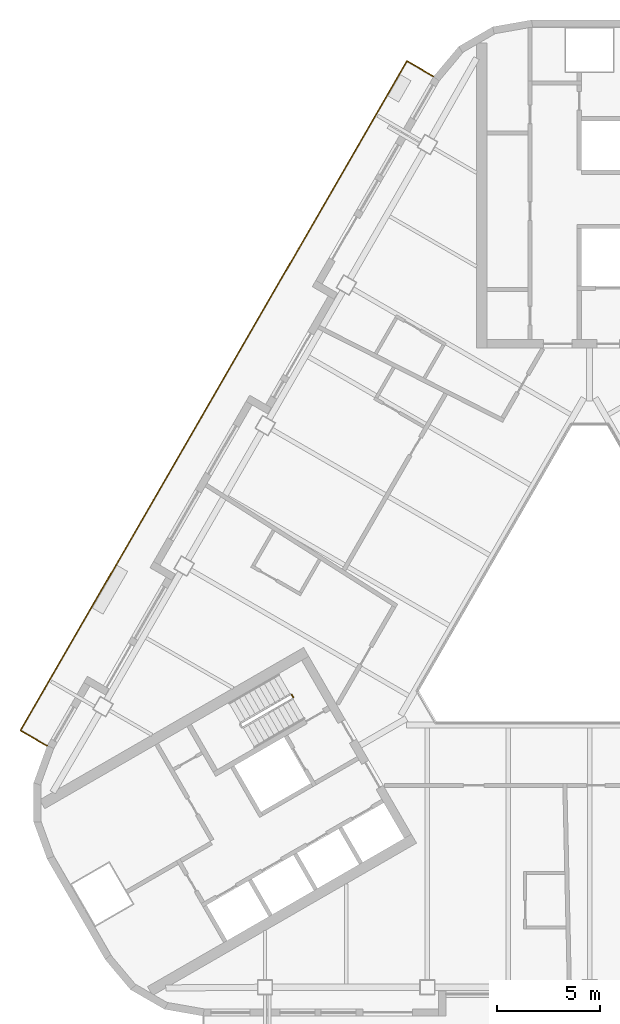
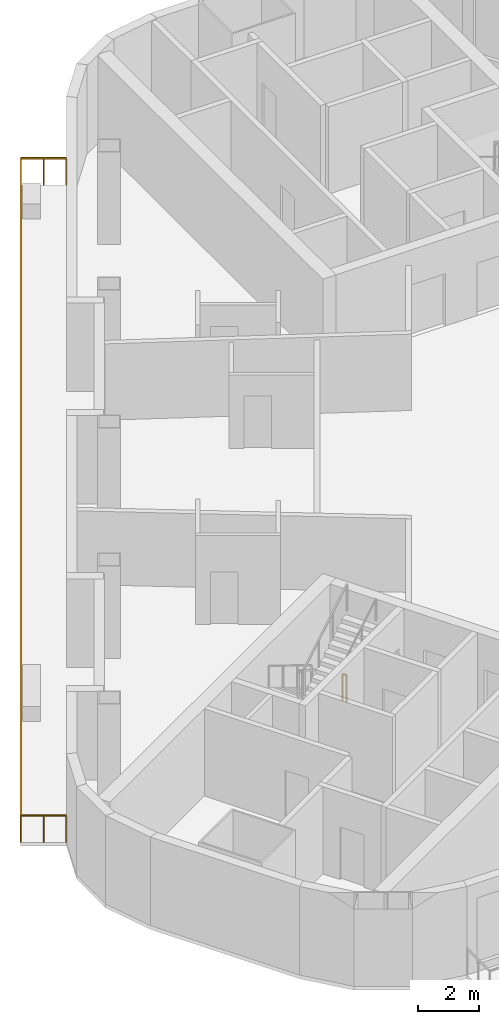
# One storey, part 10 of 13: 2 railings.
"""IFC4 building model written with IfcOpenShell, lengths in metres."""

import ifcopenshell
import ifcopenshell.guid

model = None  # the IFC model being written
_history = None  # IfcOwnerHistory: only IFC2X3 demands one
_inside = {}  # id of a spatial element -> (the spatial element, [elements in it])
_under = {}  # id of a project, library or spatial element -> (it, [spatial elements below it])
_declared = {}  # id of a project -> (the project, [libraries it declares])
_typed = {}  # id of a type object -> (the type object, [elements of that type])
_made_of = {}  # id of a material, layer set ... -> (it, [elements and type objects made of it])


def new_model(schema):
    """Start an empty IFC model of exactly this schema.

    Asked for "IFC4X3", IfcOpenShell would pick the latest addendum, in which some entities
    have other attributes; the version numbers below select the first issue.
    IFC2X3 requires an IfcOwnerHistory on every rooted entity: one is made here for all.
    """
    global model, _history
    if schema == "IFC4X3":
        model = ifcopenshell.file(schema_version=(4, 3, 0, 0))
    else:
        model = ifcopenshell.file(schema=schema)
    _inside.clear()
    _under.clear()
    _declared.clear()
    _typed.clear()
    _made_of.clear()
    _history = None
    if model.schema == "IFC2X3":
        org = make("IfcOrganization", Name="unknown")
        user = make(
            "IfcPersonAndOrganization",
            ThePerson=make("IfcPerson", FamilyName="unknown"),
            TheOrganization=org,
        )
        app = make(
            "IfcApplication",
            ApplicationDeveloper=org,
            Version="unknown",
            ApplicationFullName="unknown",
            ApplicationIdentifier="unknown",
        )
        _history = make(
            "IfcOwnerHistory",
            OwningUser=user,
            OwningApplication=app,
            ChangeAction="ADDED",
            CreationDate=0,
        )
    return model


def make(cls, **values):
    """One entity of the class cls with the attributes given. An attribute that is None is left unset."""
    return model.create_entity(
        cls, **{name: value for name, value in values.items() if value is not None}
    )


def rooted(cls, **values):
    """An entity with a GlobalId (a new one), such as an element, a storey or a relation."""
    return make(cls, GlobalId=ifcopenshell.guid.new(), OwnerHistory=_history, **values)


def si_unit(unit_type, name, prefix=None):
    """IfcSIUnit, for example si_unit("LENGTHUNIT", "METRE", prefix="MILLI")."""
    return make("IfcSIUnit", UnitType=unit_type, Prefix=prefix, Name=name)


def assignment(units):
    """IfcUnitAssignment: the units of a project."""
    return None if units is None else make("IfcUnitAssignment", Units=units)


def point(xyz):
    """IfcCartesianPoint."""
    return None if xyz is None else make("IfcCartesianPoint", Coordinates=xyz)


def direction(xyz):
    """IfcDirection."""
    return None if xyz is None else make("IfcDirection", DirectionRatios=xyz)


def frame(location, z_axis=None, x_axis=None):
    """IfcAxis2Placement3D, a coordinate frame: its origin and axes. An axis left out is left unset."""
    return make(
        "IfcAxis2Placement3D",
        Location=point(location),
        Axis=direction(z_axis),
        RefDirection=direction(x_axis),
    )


def frame_2d(location, x_axis=None):
    """IfcAxis2Placement2D, a coordinate frame in the plane: its origin and x axis."""
    return make(
        "IfcAxis2Placement2D", Location=point(location), RefDirection=direction(x_axis)
    )


def origin():
    """The frame at (0, 0, 0) with its axes left unset."""
    return frame((0.0, 0.0, 0.0))


def origin_2d():
    """The frame at (0, 0) in the plane with its x axis left unset."""
    return frame_2d((0.0, 0.0))


def place(relative_to, where):
    """IfcLocalPlacement: puts the frame where relative to a parent placement (None: the world)."""
    return make(
        "IfcLocalPlacement", PlacementRelTo=relative_to, RelativePlacement=where
    )


def context(
    kind, dimensions, precision=None, world=None, true_north=None, identifier=None
):
    """IfcGeometricRepresentationContext, for example the 3D "Model" context."""
    return make(
        "IfcGeometricRepresentationContext",
        ContextIdentifier=identifier,
        ContextType=kind,
        CoordinateSpaceDimension=dimensions,
        Precision=precision,
        WorldCoordinateSystem=world,
        TrueNorth=true_north,
    )


def subcontext(parent, identifier, kind, view, scale=None):
    """IfcGeometricRepresentationSubContext, for example "Body" below "Model"."""
    return make(
        "IfcGeometricRepresentationSubContext",
        ContextIdentifier=identifier,
        ContextType=kind,
        ParentContext=parent,
        TargetScale=scale,
        TargetView=view,
    )


def project(units=None, contexts=None):
    """IfcProject with its units and contexts."""
    return rooted(
        "IfcProject",
        Name="project",
        RepresentationContexts=contexts,
        UnitsInContext=assignment(units),
    )


def spatial(cls, under=None, at=None, **own):
    """A site, building, storey or space (cls), placed at a placement, below another one or the project."""
    s = rooted(cls, ObjectPlacement=at, **own)
    if under is not None:
        _under.setdefault(under.id(), (under, []))[1].append(s)
    return s


def profile(cls, at=None, kind="AREA", **sizes):
    """A parametric profile (cls). Its sizes go by their IFC names, for example OverallWidth=200.0."""
    return make(cls, ProfileType=kind, Position=at, **sizes)


def rectangle(**sizes):
    """IfcRectangleProfileDef."""
    return profile("IfcRectangleProfileDef", **sizes)


def extrude(swept, where, along, depth):
    """IfcExtrudedAreaSolid: the profile swept, set in the frame where, extruded along a direction by depth."""
    return make(
        "IfcExtrudedAreaSolid",
        SweptArea=swept,
        Position=where,
        ExtrudedDirection=direction(along),
        Depth=depth,
    )


def shape(context_of_items, identifier, shape_type, items):
    """IfcShapeRepresentation: the items that make up one representation, for example the "Body"."""
    return make(
        "IfcShapeRepresentation",
        ContextOfItems=context_of_items,
        RepresentationIdentifier=identifier,
        RepresentationType=shape_type,
        Items=items,
    )


def material(Name=None, Category=None):
    """IfcMaterial."""
    return make("IfcMaterial", Name=Name, Category=Category)


def made_of(thing, what):
    """Note that an element or type object is made of a material, layer set ...; save() writes the relation."""
    if what is not None:
        _made_of.setdefault(what.id(), (what, []))[1].append(thing)
    return thing


def type_object(cls, material=None, **own):
    """A type object (cls), such as IfcWallType, which elements share."""
    return made_of(rooted(cls, **own), material)


def element(
    cls,
    number,
    at=None,
    inside=None,
    cuts=None,
    type_object=None,
    material=None,
    context=None,
    identifier="Body",
    shape_type=None,
    held_by="IfcProductDefinitionShape",
    body=None,
    shapes=None,
    **own,
):
    """One element of the class cls, such as IfcWall. Its Tag is "e" and its number.

    at: its placement. inside: the storey or other place that contains it. cuts: it is an
    opening in that element (IfcRelVoidsElement). A single representation is given by context,
    identifier, shape_type and body (its items); several are given by shapes. held_by: the class
    of the entity that holds the representations. save() writes the other relations.
    """
    e = rooted(cls, Tag="e%d" % number, ObjectPlacement=at, **own)
    if body is not None:
        shapes = [shape(context, identifier, shape_type, body)]
    if shapes is not None:
        e.Representation = make(held_by, Representations=shapes)
    if inside is not None:
        _inside.setdefault(inside.id(), (inside, []))[1].append(e)
    if cuts is not None:
        rooted(
            "IfcRelVoidsElement", RelatingBuildingElement=cuts, RelatedOpeningElement=e
        )
    if type_object is not None:
        _typed.setdefault(type_object.id(), (type_object, []))[1].append(e)
    return made_of(e, material)


def aggregate(whole, parts):
    """IfcRelAggregates: a whole, such as a stair, and the parts it consists of."""
    return rooted("IfcRelAggregates", RelatingObject=whole, RelatedObjects=parts)


def save(model, path):
    """Write the relations noted so far, then the file.

    IfcRelAggregates (storeys below a building ...), IfcRelContainedInSpatialStructure (elements
    in a storey), IfcRelDefinesByType, IfcRelAssociatesMaterial and IfcRelDeclares: one each for
    every whole, place, type object, material and project.
    """
    for whole, parts in _under.values():
        aggregate(whole, parts)
    for where, things in _inside.values():
        rooted(
            "IfcRelContainedInSpatialStructure",
            RelatedElements=things,
            RelatingStructure=where,
        )
    for kind, things in _typed.values():
        rooted("IfcRelDefinesByType", RelatedObjects=things, RelatingType=kind)
    for what, things in _made_of.values():
        rooted("IfcRelAssociatesMaterial", RelatedObjects=things, RelatingMaterial=what)
    for by, libraries in _declared.values():
        rooted("IfcRelDeclares", RelatingContext=by, RelatedDefinitions=libraries)
    model.write(path)


model = new_model("IFC4")

# Units and contexts
model_context = context("Model", 3, precision=1e-05, world=origin(), true_north=direction((0.0, 1.0)))
body_context = subcontext(model_context, "Body", "Model", "MODEL_VIEW")
ifc_project = project(units=[si_unit("LENGTHUNIT", "METRE"), si_unit("AREAUNIT", "SQUARE_METRE"), si_unit("VOLUMEUNIT", "CUBIC_METRE"), si_unit("PLANEANGLEUNIT", "RADIAN"), si_unit("MASSUNIT", "GRAM", prefix="KILO")], contexts=[model_context])

# Site, building, storey
site_placement = place(None, origin())
site = spatial("IfcSite", under=ifc_project, at=site_placement, CompositionType="ELEMENT")
building_placement = place(site_placement, origin())
building = spatial("IfcBuilding", under=site, at=building_placement, Name="Apuvela Tower Hotel", CompositionType="ELEMENT")
storey_placement = place(building_placement, frame((0.0, 0.0, 198.39990234375)))
storey = spatial("IfcBuildingStorey", under=building, at=storey_placement, Name="L48", CompositionType="ELEMENT", Elevation=198.39990234375)

# Railings
ifc_material_1 = material(Name="Steel S275 balustrade", Category="steel")
railing_type_1 = type_object("IfcRailingType", Name="COR-GUARD-1100", PredefinedType="GUARDRAIL", material=ifc_material_1)
railing_1_placement = place(storey_placement, frame((-14.500732421875, -3.984130859375, 0.0)))
element("IfcRailing", 1, at=railing_1_placement, inside=storey, type_object=railing_type_1, Name="L48 ST2 stair guard 4", PredefinedType="GUARDRAIL", context=body_context, shape_type="SweptSolid", body=[
    extrude(rectangle(XDim=0.048095703125, YDim=0.048095703125, at=origin_2d()), frame((0.0, 0.0, 1.076171875), z_axis=(0.499816412211, -0.866131372301, 0.0), x_axis=(0.866131372301, 0.499816412211, 0.0)), (0.0, 0.0, 1.0), 0.14990234375),
    extrude(rectangle(XDim=0.0419921875, YDim=0.0419921875, at=origin_2d()), origin(), (0.0, 0.0, 1.0), 1.052001953125),
    extrude(rectangle(XDim=0.0419921875, YDim=0.0419921875, at=origin_2d()), frame((0.074951171875, -0.1298828125, 0.0)), (0.0, 0.0, 1.0), 1.052001953125),
])
ifc_material_2 = material(Name="Stainless steel 316 rail with laminated glass infill", Category="steel")
railing_type_2 = type_object("IfcRailingType", Name="ENV-GUARD-1100", PredefinedType="GUARDRAIL", material=ifc_material_2)
railing_2_placement = place(storey_placement, frame((-7.59228515625, 26.110107421875, 0.0)))
element("IfcRailing", 2, at=railing_2_placement, inside=storey, type_object=railing_type_2, Name="Balcony guard NW L48", PredefinedType="GUARDRAIL", context=body_context, shape_type="SweptSolid", body=[
    extrude(rectangle(XDim=0.050048828125, YDim=0.050048828125, at=origin_2d()), frame((0.0, 0.0, 1.0751953125), z_axis=(-0.86599040064, 0.500060622324, 0.0), x_axis=(-0.500060622324, -0.86599040064, 0.0)), (0.0, 0.0, 1.0), 1.499755859375),
    extrude(rectangle(XDim=0.050048828125, YDim=0.050048828125, at=origin_2d()), frame((-1.298828125, 0.75, 1.0751953125), z_axis=(-0.500000437506, -0.86602515119, 0.0), x_axis=(0.86602515119, -0.500000437506, 0.0)), (0.0, 0.0, 1.0), 37.6318359375),
    extrude(rectangle(XDim=0.050048828125, YDim=0.050048828125, at=origin_2d()), frame((-20.11474609375, -31.840087890625, 1.0751953125), z_axis=(0.866031096941, -0.499990139034, 0.0), x_axis=(0.499990139034, 0.866031096941, 0.0)), (0.0, 0.0, 1.0), 1.5),
    extrude(rectangle(XDim=0.0400390625, YDim=0.0400390625, at=origin_2d()), origin(), (0.0, 0.0, 1.0), 1.050048828125),
    extrude(rectangle(XDim=0.0400390625, YDim=0.0400390625, at=origin_2d()), frame((-0.6494140625, 0.375, 0.0)), (0.0, 0.0, 1.0), 1.050048828125),
    extrude(rectangle(XDim=0.0400390625, YDim=0.0400390625, at=origin_2d()), frame((-1.298828125, 0.75, 0.0)), (0.0, 0.0, 1.0), 1.050048828125),
    extrude(rectangle(XDim=0.0400390625, YDim=0.0400390625, at=origin_2d()), frame((-1.88671875, -0.2685546875, 0.0)), (0.0, 0.0, 1.0), 1.050048828125),
    extrude(rectangle(XDim=0.0400390625, YDim=0.0400390625, at=origin_2d()), frame((-2.474853515625, -1.286865234375, 0.0)), (0.0, 0.0, 1.0), 1.050048828125),
    extrude(rectangle(XDim=0.0400390625, YDim=0.0400390625, at=origin_2d()), frame((-3.062744140625, -2.305419921875, 0.0)), (0.0, 0.0, 1.0), 1.050048828125),
    extrude(rectangle(XDim=0.0400390625, YDim=0.0400390625, at=origin_2d()), frame((-3.65087890625, -3.32373046875, 0.0)), (0.0, 0.0, 1.0), 1.050048828125),
    extrude(rectangle(XDim=0.0400390625, YDim=0.0400390625, at=origin_2d()), frame((-4.23876953125, -4.34228515625, 0.0)), (0.0, 0.0, 1.0), 1.050048828125),
    extrude(rectangle(XDim=0.0400390625, YDim=0.0400390625, at=origin_2d()), frame((-4.826904296875, -5.360595703125, 0.0)), (0.0, 0.0, 1.0), 1.050048828125),
    extrude(rectangle(XDim=0.0400390625, YDim=0.0400390625, at=origin_2d()), frame((-5.414794921875, -6.379150390625, 0.0)), (0.0, 0.0, 1.0), 1.050048828125),
    extrude(rectangle(XDim=0.0400390625, YDim=0.0400390625, at=origin_2d()), frame((-6.0029296875, -7.3974609375, 0.0)), (0.0, 0.0, 1.0), 1.050048828125),
    extrude(rectangle(XDim=0.0400390625, YDim=0.0400390625, at=origin_2d()), frame((-6.5908203125, -8.416015625, 0.0)), (0.0, 0.0, 1.0), 1.050048828125),
    extrude(rectangle(XDim=0.0400390625, YDim=0.0400390625, at=origin_2d()), frame((-7.1787109375, -9.434326171875, 0.0)), (0.0, 0.0, 1.0), 1.050048828125),
    extrude(rectangle(XDim=0.0400390625, YDim=0.0400390625, at=origin_2d()), frame((-7.766845703125, -10.452880859375, 0.0)), (0.0, 0.0, 1.0), 1.050048828125),
    extrude(rectangle(XDim=0.0400390625, YDim=0.0400390625, at=origin_2d()), frame((-8.354736328125, -11.47119140625, 0.0)), (0.0, 0.0, 1.0), 1.050048828125),
    extrude(rectangle(XDim=0.0400390625, YDim=0.0400390625, at=origin_2d()), frame((-8.94287109375, -12.48974609375, 0.0)), (0.0, 0.0, 1.0), 1.050048828125),
    extrude(rectangle(XDim=0.0400390625, YDim=0.0400390625, at=origin_2d()), frame((-9.53076171875, -13.508056640625, 0.0)), (0.0, 0.0, 1.0), 1.050048828125),
    extrude(rectangle(XDim=0.0400390625, YDim=0.0400390625, at=origin_2d()), frame((-10.118896484375, -14.526611328125, 0.0)), (0.0, 0.0, 1.0), 1.050048828125),
    extrude(rectangle(XDim=0.0400390625, YDim=0.0400390625, at=origin_2d()), frame((-10.706787109375, -15.544921875, 0.0)), (0.0, 0.0, 1.0), 1.050048828125),
    extrude(rectangle(XDim=0.0400390625, YDim=0.0400390625, at=origin_2d()), frame((-11.294677734375, -16.5634765625, 0.0)), (0.0, 0.0, 1.0), 1.050048828125),
    extrude(rectangle(XDim=0.0400390625, YDim=0.0400390625, at=origin_2d()), frame((-11.8828125, -17.58203125, 0.0)), (0.0, 0.0, 1.0), 1.050048828125),
    extrude(rectangle(XDim=0.0400390625, YDim=0.0400390625, at=origin_2d()), frame((-12.470703125, -18.600341796875, 0.0)), (0.0, 0.0, 1.0), 1.050048828125),
    extrude(rectangle(XDim=0.0400390625, YDim=0.0400390625, at=origin_2d()), frame((-13.058837890625, -19.618896484375, 0.0)), (0.0, 0.0, 1.0), 1.050048828125),
    extrude(rectangle(XDim=0.0400390625, YDim=0.0400390625, at=origin_2d()), frame((-13.646728515625, -20.63720703125, 0.0)), (0.0, 0.0, 1.0), 1.050048828125),
    extrude(rectangle(XDim=0.0400390625, YDim=0.0400390625, at=origin_2d()), frame((-14.23486328125, -21.65576171875, 0.0)), (0.0, 0.0, 1.0), 1.050048828125),
    extrude(rectangle(XDim=0.0400390625, YDim=0.0400390625, at=origin_2d()), frame((-14.82275390625, -22.674072265625, 0.0)), (0.0, 0.0, 1.0), 1.050048828125),
    extrude(rectangle(XDim=0.0400390625, YDim=0.0400390625, at=origin_2d()), frame((-15.41064453125, -23.692626953125, 0.0)), (0.0, 0.0, 1.0), 1.050048828125),
    extrude(rectangle(XDim=0.0400390625, YDim=0.0400390625, at=origin_2d()), frame((-15.998779296875, -24.7109375, 0.0)), (0.0, 0.0, 1.0), 1.050048828125),
    extrude(rectangle(XDim=0.0400390625, YDim=0.0400390625, at=origin_2d()), frame((-16.586669921875, -25.7294921875, 0.0)), (0.0, 0.0, 1.0), 1.050048828125),
    extrude(rectangle(XDim=0.0400390625, YDim=0.0400390625, at=origin_2d()), frame((-17.1748046875, -26.747802734375, 0.0)), (0.0, 0.0, 1.0), 1.050048828125),
    extrude(rectangle(XDim=0.0400390625, YDim=0.0400390625, at=origin_2d()), frame((-17.7626953125, -27.766357421875, 0.0)), (0.0, 0.0, 1.0), 1.050048828125),
    extrude(rectangle(XDim=0.0400390625, YDim=0.0400390625, at=origin_2d()), frame((-18.350830078125, -28.78466796875, 0.0)), (0.0, 0.0, 1.0), 1.050048828125),
    extrude(rectangle(XDim=0.0400390625, YDim=0.0400390625, at=origin_2d()), frame((-18.938720703125, -29.80322265625, 0.0)), (0.0, 0.0, 1.0), 1.050048828125),
    extrude(rectangle(XDim=0.0400390625, YDim=0.0400390625, at=origin_2d()), frame((-19.52685546875, -30.821533203125, 0.0)), (0.0, 0.0, 1.0), 1.050048828125),
    extrude(rectangle(XDim=0.0400390625, YDim=0.0400390625, at=origin_2d()), frame((-20.11474609375, -31.840087890625, 0.0)), (0.0, 0.0, 1.0), 1.050048828125),
    extrude(rectangle(XDim=0.0400390625, YDim=0.0400390625, at=origin_2d()), frame((-19.46533203125, -32.215087890625, 0.0)), (0.0, 0.0, 1.0), 1.050048828125),
    extrude(rectangle(XDim=0.0400390625, YDim=0.0400390625, at=origin_2d()), frame((-18.815673828125, -32.590087890625, 0.0)), (0.0, 0.0, 1.0), 1.050048828125),
])

save(model, "model.ifc")
